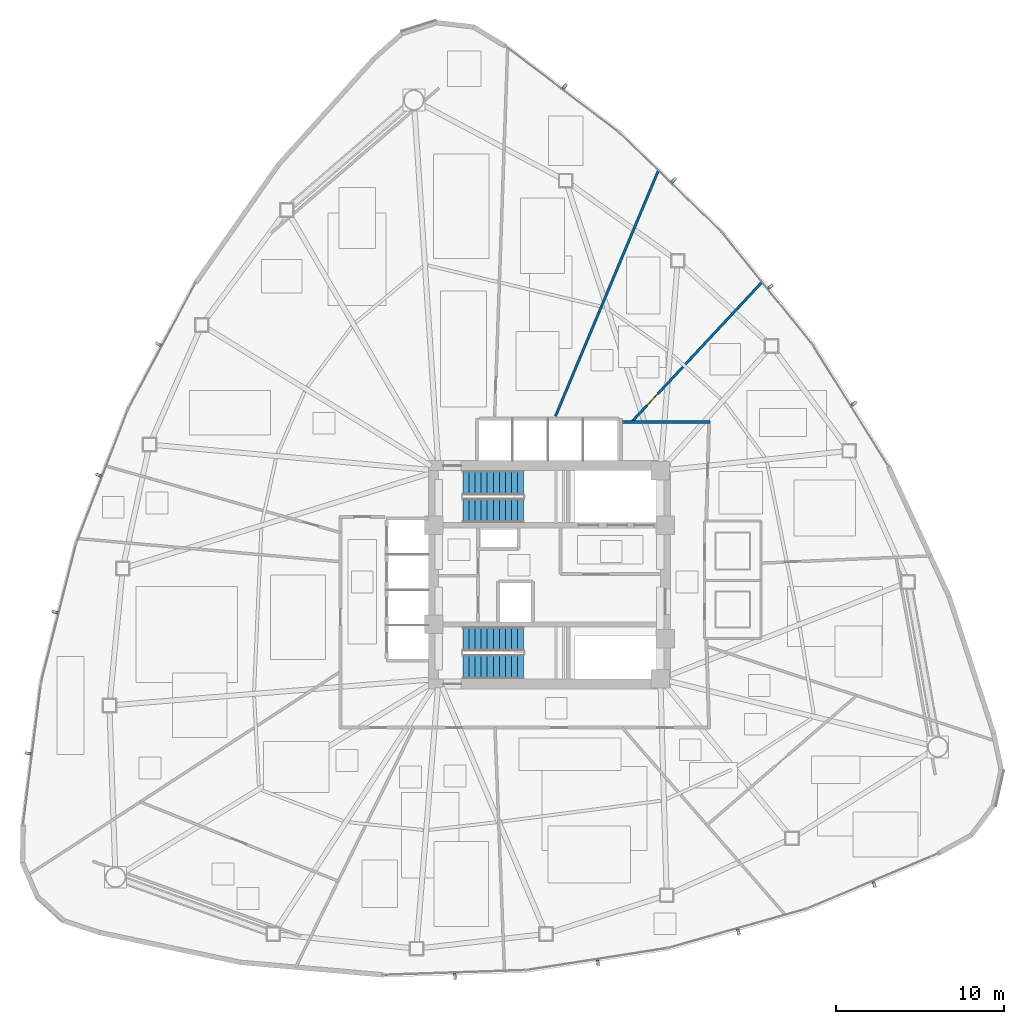
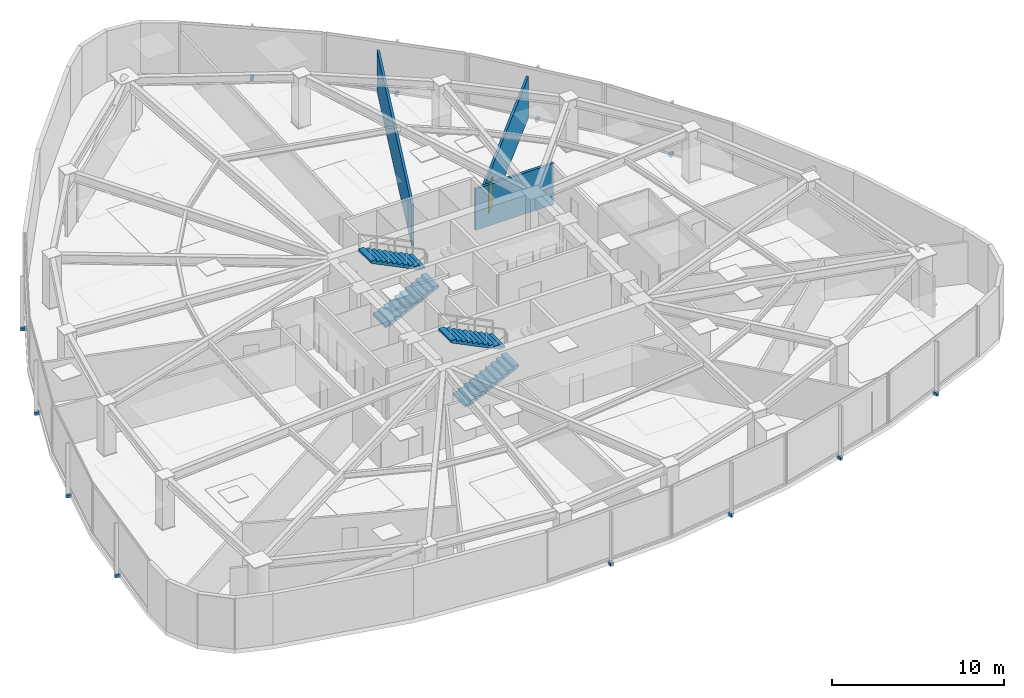
# One storey, part 14 of 18: 12 discrete accessories, 4 stair flights, 3 walls, 1 door, 1 opening, 2 elements without a shape of their own.
"""IFC4 building model written with IfcOpenShell, lengths in metres."""

from ifc_helpers import new_model, si_unit, direction, frame, frame_2d, origin, origin_2d, place, context, subcontext, project, spatial, polyline, rectangle, outline, extrude, source, transform, mapped, material, layer, layer_set, type_object, type_shapes, element, fill, aggregate, save


model = new_model("IFC4")

# Units and contexts
model_context = context("Model", 3, precision=1e-05, world=origin(), true_north=direction((0.0, 1.0)))
body_context = subcontext(model_context, "Body", "Model", "MODEL_VIEW")
ifc_project = project(units=[si_unit("LENGTHUNIT", "METRE"), si_unit("AREAUNIT", "SQUARE_METRE"), si_unit("VOLUMEUNIT", "CUBIC_METRE"), si_unit("PLANEANGLEUNIT", "RADIAN"), si_unit("MASSUNIT", "GRAM", prefix="KILO")], contexts=[model_context])

# Site, building, storey
site_placement = place(None, origin())
site = spatial("IfcSite", under=ifc_project, at=site_placement, CompositionType="ELEMENT")
building_placement = place(site_placement, origin())
building = spatial("IfcBuilding", under=site, at=building_placement, Name="Tavelor Broadcast Tower", CompositionType="ELEMENT")
storey_placement = place(building_placement, frame((0.0, 0.0, 47.10009765625)))
storey = spatial("IfcBuildingStorey", under=building, at=storey_placement, Name="L10", CompositionType="ELEMENT", Elevation=47.10009765625)

# Wall
ifc_material_1 = material(Name="Calcium Silicate Fire Board 180 mm", Category="gypsum")
ifc_layer_1 = layer(ifc_material_1, 0.179931640625)
ifc_layer_set_1 = layer_set([ifc_layer_1], Name="Calcium Silicate Fire Board 180 mm")
wall_type_1 = type_object("IfcWallType", Name="Fire-Rated Corridor Partition Wall 180 mm", PredefinedType="PARTITIONING", material=ifc_layer_set_1)
wall_1_placement = place(storey_placement, frame((54.300048828125, 54.10009765625, 0.0), z_axis=(0.0, 0.0, 1.0), x_axis=(1.0, 0.0, 0.0)))
element("IfcWall", 1, at=wall_1_placement, inside=storey, type_object=wall_type_1, Name="L10 Corridor Compartment Wall 01", PredefinedType="PARTITIONING", context=body_context, shape_type="SweptSolid", body=[
    extrude(rectangle(XDim=5.25, YDim=0.179931640625, at=frame_2d((2.625, 0.0))), origin(), (0.0, 0.0, 1.0), 2.9248046875),
])

# Wall, opening, door
ifc_material_2 = material(Name="Gypsum Acoustic Plasterboard 150 mm", Category="gypsum")
ifc_layer_2 = layer(ifc_material_2, 0.14990234375)
ifc_layer_set_2 = layer_set([ifc_layer_2], Name="Gypsum Acoustic Plasterboard 150 mm")
wall_type_2 = type_object("IfcWallType", Name="Interior Acoustic Partition Wall 150 mm", PredefinedType="PARTITIONING", material=ifc_layer_set_2)
wall_2_placement = place(storey_placement, frame((54.885986328125, 54.10009765625, 0.0), z_axis=(0.0, 0.0, 1.0), x_axis=(0.681994805722, 0.731357016079, 0.0)))
wall_2 = element("IfcWall", 2, at=wall_2_placement, inside=storey, type_object=wall_type_2, Name="L10 Radial Compartment Wall 01", PredefinedType="PARTITIONING", context=body_context, shape_type="SweptSolid", body=[
    extrude(rectangle(XDim=11.4052734375, YDim=0.14990234375, at=frame_2d((5.70263671875, 0.0))), origin(), (0.0, 0.0, 1.0), 2.9248046875),
])
opening_placement = place(wall_2_placement, frame((1.35009765625, 0.0, 0.0)))
opening = element("IfcOpeningElement", 3, at=opening_placement, cuts=wall_2, Name="Opening DR18", PredefinedType="OPENING", context=body_context, shape_type="SweptSolid", body=[
    extrude(rectangle(XDim=0.949951171875, YDim=2.050048828125, at=frame_2d((0.47509765625, 1.02490234375))), frame((0.0, 0.0849609375, 0.0), z_axis=(0.0, -1.0, 0.0), x_axis=(1.0, 0.0, 0.0)), (0.0, 0.0, 1.0), 0.169921875),
])
ifc_material_3 = material(Name="Timber Solid Core Hardwood", Category="wood")
door_type = type_object("IfcDoorType", Name="Corridor Rated Compartment Door 950x2050", OperationType="NOTDEFINED", PredefinedType="DOOR", material=ifc_material_3)
door_placement = place(opening_placement, origin())
door = element("IfcDoor", 4, at=door_placement, inside=storey, type_object=door_type, Name="L10 Suite Connecting Door 7", OperationType="SINGLE_SWING_LEFT", OverallHeight=2.050048828125, OverallWidth=0.949951171875, PredefinedType="DOOR", context=body_context, shape_type="SweptSolid", body=[
    extrude(rectangle(XDim=0.949951171875, YDim=2.050048828125, at=frame_2d((0.47509765625, 1.02490234375))), frame((0.0, 0.02490234375, 0.0), z_axis=(0.0, -1.0, 0.0), x_axis=(1.0, 0.0, 0.0)), (0.0, 0.0, 1.0), 0.050048828125),
])
fill(opening, door)

# Wall
wall_3_placement = place(storey_placement, frame((50.357421875, 54.449951171875, 0.0), z_axis=(0.0, 0.0, 1.0), x_axis=(0.38625871249, 0.922390485112, 0.0)))
element("IfcWall", 5, at=wall_3_placement, inside=storey, type_object=wall_type_2, Name="L10 Radial Compartment Wall 02", PredefinedType="PARTITIONING", context=body_context, shape_type="SweptSolid", body=[
    extrude(rectangle(XDim=15.85986328125, YDim=0.14990234375, at=frame_2d((7.929931640625, 0.0))), origin(), (0.0, 0.0, 1.0), 2.9248046875),
])

# Stair, stair flights
ifc_material_4 = material(Name="Concrete C40/50", Category="concrete")
stair_type = type_object("IfcStairType", Name="Reinforced Concrete Protected Dogleg Stair 1450 mm", PredefinedType="HALF_TURN_STAIR", material=ifc_material_4)
stair_1_placement = place(storey_placement, origin())
stair_1 = element("IfcStair", 6, at=stair_1_placement, inside=storey, type_object=stair_type, Name="L10 Protected Core Exit Stair ST1", PredefinedType="HALF_TURN_STAIR")
stair_flight_type = type_object("IfcStairFlightType", Name="Reinforced Concrete Stair Flight 1450 mm", PredefinedType="STRAIGHT", material=ifc_material_4)
stair_flight_1_placement = place(storey_placement, frame((44.85009765625, 48.824951171875, 0.0), z_axis=(0.0, 0.0, 1.0), x_axis=(1.0, 0.0, 0.0)))
stair_flight_1 = element("IfcStairFlight", 7, at=stair_flight_1_placement, type_object=stair_flight_type, Name="ST1 flight 1", NumberOfRisers=11, NumberOfTreads=10, PredefinedType="STRAIGHT", RiserHeight=0.177272727, TreadLength=0.36, context=body_context, shape_type="SweptSolid", body=[
    extrude(outline(polyline([(0.0, 0.0), (0.0, 0.17724609375), (0.360107421875, 0.17724609375), (0.360107421875, 0.3544921875), (0.719970703125, 0.3544921875), (0.719970703125, 0.53173828125), (1.080078125, 0.53173828125), (1.080078125, 0.708984375), (1.43994140625, 0.708984375), (1.43994140625, 0.886474609375), (1.800048828125, 0.886474609375), (1.800048828125, 1.063720703125), (2.159912109375, 1.063720703125), (2.159912109375, 1.240966796875), (2.52001953125, 1.240966796875), (2.52001953125, 1.418212890625), (2.8798828125, 1.418212890625), (2.8798828125, 1.595458984375), (3.239990234375, 1.595458984375), (3.239990234375, 1.772705078125), (3.60009765625, 1.772705078125), (3.60009765625, 1.949951171875), (3.60009765625, 1.605712890625), (0.33935546875, 0.0), (0.0, 0.0)])), frame((0.0, 0.72509765625, 0.0), z_axis=(0.0, -1.0, 0.0), x_axis=(1.0, 0.0, 0.0)), (0.0, 0.0, 1.0), 1.449951171875),
])
stair_flight_2_placement = place(storey_placement, frame((48.449951171875, 50.47509765625, 1.949951171875), z_axis=(0.0, 0.0, 1.0), x_axis=(-1.0, 0.0, 0.0)))
stair_flight_2 = element("IfcStairFlight", 8, at=stair_flight_2_placement, type_object=stair_flight_type, Name="ST1 flight 2", NumberOfRisers=11, NumberOfTreads=10, PredefinedType="STRAIGHT", RiserHeight=0.177272727, TreadLength=0.36, context=body_context, shape_type="SweptSolid", body=[
    extrude(outline(polyline([(0.0, 0.0), (0.0, 0.17724609375), (0.360107421875, 0.17724609375), (0.360107421875, 0.3544921875), (0.719970703125, 0.3544921875), (0.719970703125, 0.53173828125), (1.080078125, 0.53173828125), (1.080078125, 0.708984375), (1.43994140625, 0.708984375), (1.43994140625, 0.886474609375), (1.800048828125, 0.886474609375), (1.800048828125, 1.063720703125), (2.159912109375, 1.063720703125), (2.159912109375, 1.240966796875), (2.52001953125, 1.240966796875), (2.52001953125, 1.418212890625), (2.8798828125, 1.418212890625), (2.8798828125, 1.595458984375), (3.239990234375, 1.595458984375), (3.239990234375, 1.772705078125), (3.60009765625, 1.772705078125), (3.60009765625, 1.949951171875), (3.60009765625, 1.605712890625), (0.33935546875, 0.0), (0.0, 0.0)])), frame((0.0, 0.72509765625, 0.0), z_axis=(0.0, -1.0, 0.0), x_axis=(1.0, 0.0, 0.0)), (0.0, 0.0, 1.0), 1.449951171875),
])
aggregate(stair_1, [stair_flight_1, stair_flight_2])

stair_2_placement = place(storey_placement, origin())
stair_2 = element("IfcStair", 9, at=stair_2_placement, inside=storey, type_object=stair_type, Name="L10 Protected Core Exit Stair ST2", PredefinedType="HALF_TURN_STAIR")
stair_flight_3_placement = place(storey_placement, frame((44.85009765625, 39.52490234375, 0.0), z_axis=(0.0, 0.0, 1.0), x_axis=(1.0, 0.0, 0.0)))
stair_flight_3 = element("IfcStairFlight", 10, at=stair_flight_3_placement, type_object=stair_flight_type, Name="ST2 flight 1", NumberOfRisers=11, NumberOfTreads=10, PredefinedType="STRAIGHT", RiserHeight=0.177272727, TreadLength=0.36, context=body_context, shape_type="SweptSolid", body=[
    extrude(outline(polyline([(0.0, 0.0), (0.0, 0.17724609375), (0.360107421875, 0.17724609375), (0.360107421875, 0.3544921875), (0.719970703125, 0.3544921875), (0.719970703125, 0.53173828125), (1.080078125, 0.53173828125), (1.080078125, 0.708984375), (1.43994140625, 0.708984375), (1.43994140625, 0.886474609375), (1.800048828125, 0.886474609375), (1.800048828125, 1.063720703125), (2.159912109375, 1.063720703125), (2.159912109375, 1.240966796875), (2.52001953125, 1.240966796875), (2.52001953125, 1.418212890625), (2.8798828125, 1.418212890625), (2.8798828125, 1.595458984375), (3.239990234375, 1.595458984375), (3.239990234375, 1.772705078125), (3.60009765625, 1.772705078125), (3.60009765625, 1.949951171875), (3.60009765625, 1.605712890625), (0.33935546875, 0.0), (0.0, 0.0)])), frame((0.0, 0.72509765625, 0.0), z_axis=(0.0, -1.0, 0.0), x_axis=(1.0, 0.0, 0.0)), (0.0, 0.0, 1.0), 1.449951171875),
])
stair_flight_4_placement = place(storey_placement, frame((48.449951171875, 41.175048828125, 1.949951171875), z_axis=(0.0, 0.0, 1.0), x_axis=(-1.0, 0.0, 0.0)))
stair_flight_4 = element("IfcStairFlight", 11, at=stair_flight_4_placement, type_object=stair_flight_type, Name="ST2 flight 2", NumberOfRisers=11, NumberOfTreads=10, PredefinedType="STRAIGHT", RiserHeight=0.177272727, TreadLength=0.36, context=body_context, shape_type="SweptSolid", body=[
    extrude(outline(polyline([(0.0, 0.0), (0.0, 0.17724609375), (0.360107421875, 0.17724609375), (0.360107421875, 0.3544921875), (0.719970703125, 0.3544921875), (0.719970703125, 0.53173828125), (1.080078125, 0.53173828125), (1.080078125, 0.708984375), (1.43994140625, 0.708984375), (1.43994140625, 0.886474609375), (1.800048828125, 0.886474609375), (1.800048828125, 1.063720703125), (2.159912109375, 1.063720703125), (2.159912109375, 1.240966796875), (2.52001953125, 1.240966796875), (2.52001953125, 1.418212890625), (2.8798828125, 1.418212890625), (2.8798828125, 1.595458984375), (3.239990234375, 1.595458984375), (3.239990234375, 1.772705078125), (3.60009765625, 1.772705078125), (3.60009765625, 1.949951171875), (3.60009765625, 1.605712890625), (0.33935546875, 0.0), (0.0, 0.0)])), frame((0.0, 0.72509765625, 0.0), z_axis=(0.0, -1.0, 0.0), x_axis=(1.0, 0.0, 0.0)), (0.0, 0.0, 1.0), 1.449951171875),
])
aggregate(stair_2, [stair_flight_3, stair_flight_4])

# Discrete accessories
ifc_material_5 = material(Name="Steel S355", Category="steel")
discrete_accessory_type = type_object("IfcDiscreteAccessoryType", Name="Stainless Baguette Outrigger Support Bracket 260x180", PredefinedType="BRACKET", material=ifc_material_5)
shared_shape = source(origin(), body_context, "Body", "SweptSolid", [
    extrude(rectangle(XDim=0.179931640625, YDim=0.340087890625, at=origin_2d()), origin(), (0.0, 0.0, 1.0), 0.216064453125),
])
type_shapes(discrete_accessory_type, [shared_shape])
for number, where, z_axis, x_axis, name in (
    (12, (26.7216796875, 58.71728515625, -0.25830078125), (0.0, 0.0, 1.0), (-0.470549936128, -0.882373366331, 0.0), "L10 Baguette Outrigger Bracket 73"),
    (13, (23.15771484375, 50.93310546875, -0.25830078125), (0.0, 0.0, 1.0), (-0.3603224484, -0.932827815397, 0.0), "L10 Baguette Outrigger Bracket 74"),
    (14, (20.56201171875, 42.77490234375, -0.25830078125), (0.0, 0.0, 1.0), (-0.244799751878, -0.969573659647, 0.0), "L10 Baguette Outrigger Bracket 75"),
    (15, (18.97265625, 34.3623046875, -0.25830078125), (0.0, 0.0, 1.0), (-0.125679539283, -0.992070891321, 0.0), "L10 Baguette Outrigger Bracket 76"),
    (16, (44.359619140625, 21.099365234375, -0.25830078125), (0.0, 0.0, 1.0), (0.999438581711, 0.033504050301, 0.0), "L10 Baguette Outrigger Bracket 77"),
    (17, (52.8828125, 21.905029296875, -0.25830078125), (0.0, 0.0, 1.0), (0.988013809691, 0.15436551383, 0.0), "L10 Baguette Outrigger Bracket 78"),
    (18, (61.24609375, 23.736328125, -0.25830078125), (0.0, 0.0, 1.0), (0.962075296033, 0.272784025857, 0.0), "L10 Baguette Outrigger Bracket 79"),
    (19, (69.326171875, 26.566162109375, -0.25830078125), (0.0, 0.0, 1.0), (0.92199836388, 0.387193771905, 0.0), "L10 Baguette Outrigger Bracket 80"),
    (20, (68.11865234375, 55.183349609375, -0.25830078125), (0.0, 0.0, 1.0), (-0.528734649546, 0.848787176134, 0.0), "L10 Baguette Outrigger Bracket 81"),
    (21, (63.1591796875, 62.161865234375, -0.25830078125), (0.0, 0.0, 1.0), (-0.627691361291, 0.778462301567, 0.0), "L10 Baguette Outrigger Bracket 82"),
    (22, (57.391845703125, 68.489013671875, -0.25830078125), (0.0, 0.0, 1.0), (-0.717275544155, 0.696789633789, 0.0), "L10 Baguette Outrigger Bracket 83"),
    (23, (50.901123046875, 74.071533203125, -0.25830078125), (0.0, 0.0, 1.0), (-0.796318824597, 0.604877119416, 0.0), "L10 Baguette Outrigger Bracket 84"),
):
    element("IfcDiscreteAccessory", number, at=place(storey_placement, frame(where, z_axis=z_axis, x_axis=x_axis)), inside=storey, type_object=discrete_accessory_type, Name=name, PredefinedType="BRACKET", context=body_context, shape_type="MappedRepresentation", body=[
        mapped(shared_shape, transform((0.0, 0.0, 0.0), scale=1.0)),
    ])

save(model, "model.ifc")
